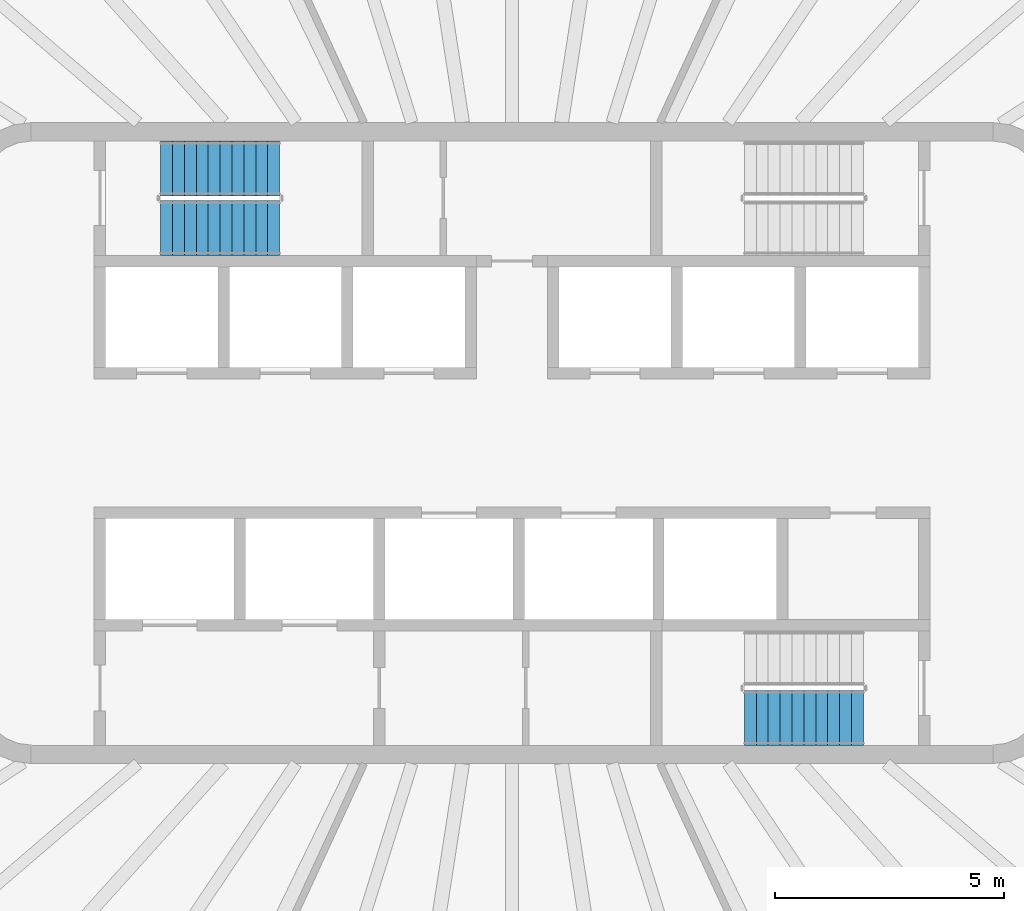
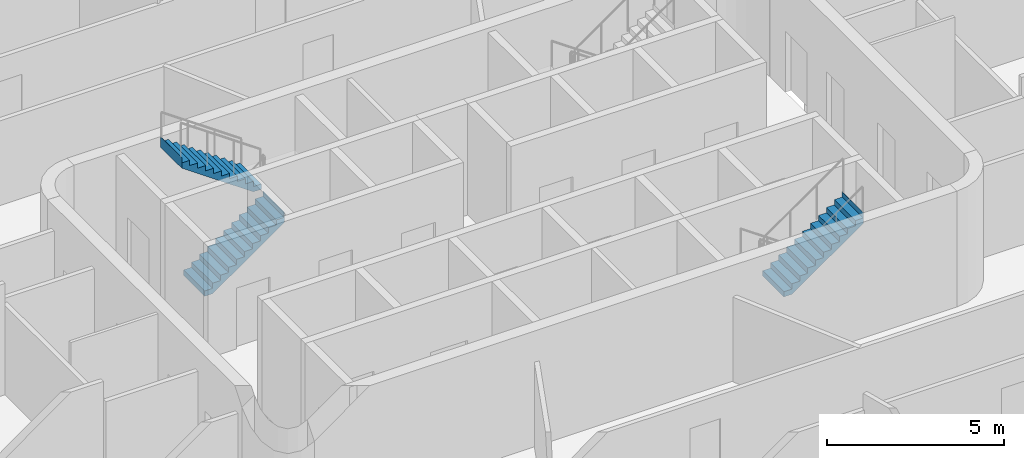
# One storey, part 12 of 18: 3 stair flights, 2 elements without a shape of their own.
"""IFC4 building model written with IfcOpenShell, lengths in metres."""

from ifc_helpers import new_model, si_unit, direction, frame, origin, place, context, subcontext, project, spatial, triangles, material, type_object, element, aggregate, save


model = new_model("IFC4")

# Units and contexts
model_context = context("Model", 3, precision=1e-05, world=origin(), true_north=direction((0.0, 1.0)))
body_context = subcontext(model_context, "Body", "Model", "MODEL_VIEW")
ifc_project = project(units=[si_unit("LENGTHUNIT", "METRE"), si_unit("AREAUNIT", "SQUARE_METRE"), si_unit("VOLUMEUNIT", "CUBIC_METRE"), si_unit("PLANEANGLEUNIT", "RADIAN"), si_unit("MASSUNIT", "GRAM", prefix="KILO")], contexts=[model_context])

# Site, building, storey
site_placement = place(None, origin())
site = spatial("IfcSite", under=ifc_project, at=site_placement, CompositionType="ELEMENT")
building_placement = place(site_placement, origin())
building = spatial("IfcBuilding", under=site, at=building_placement, Name="Sahrelin Media Tower", CompositionType="ELEMENT")
storey_placement = place(building_placement, frame((0.0, 0.0, 320.39990234375)))
storey = spatial("IfcBuildingStorey", under=building, at=storey_placement, Name="L71", CompositionType="ELEMENT", Elevation=320.39990234375)

# Stair, stair flights
ifc_material = material(Name="Concrete C40/50", Category="concrete")
stair_type = type_object("IfcStairType", Name="Exit stair 1200", PredefinedType="HALF_TURN_STAIR", material=ifc_material)
placement = place(storey_placement, origin())
stair_1 = element("IfcStair", 1, at=placement, inside=storey, type_object=stair_type, Name="L71 Exit stair ST1", PredefinedType="HALF_TURN_STAIR")
stair_flight_type = type_object("IfcStairFlightType", Name="Stair flight 1200", PredefinedType="STRAIGHT", material=ifc_material)
stair_flight_1_placement = place(storey_placement, frame((-7.675048828125, 4.699951171875, 0.0), z_axis=(0.0, 0.0, 1.0), x_axis=(1.0, 0.0, 0.0)))
stair_flight_1 = element("IfcStairFlight", 2, at=stair_flight_1_placement, type_object=stair_flight_type, Name="ST1 flight 1", NumberOfRisers=11, NumberOfTreads=10, PredefinedType="STRAIGHT", RiserHeight=0.181818182, TreadLength=0.26, context=body_context, shape_type="Tessellation", body=[
    triangles([(0.261474609375, 0.60009765625, 0.0), (0.261474609375, 0.300048828125, 0.0), (0.261474609375, 0.0, 0.0), (0.261474609375, -0.300048828125, 0.0), (0.261474609375, -0.60009765625, 0.0), (2.60009765625, 0.60009765625, 1.63525390625), (2.60009765625, 0.300048828125, 1.63525390625), (2.60009765625, 0.0, 1.63525390625), (2.60009765625, -0.300048828125, 1.63525390625), (2.60009765625, -0.60009765625, 1.63525390625), (2.60009765625, 0.60009765625, 2.0), (2.60009765625, 0.300048828125, 2.0), (2.60009765625, 0.0, 2.0), (2.60009765625, -0.300048828125, 2.0), (2.60009765625, -0.60009765625, 2.0), (2.597900390625, 0.60009765625, 2.0), (2.597900390625, 0.300048828125, 2.0), (2.597900390625, 0.0, 2.0), (2.597900390625, -0.300048828125, 2.0), (2.597900390625, -0.60009765625, 2.0), (2.597900390625, 0.60009765625, 1.818115234375), (2.597900390625, 0.300048828125, 1.818115234375), (2.597900390625, 0.0, 1.818115234375), (2.597900390625, -0.300048828125, 1.818115234375), (2.597900390625, -0.60009765625, 1.818115234375), (2.340087890625, 0.60009765625, 1.818115234375), (2.340087890625, 0.300048828125, 1.818115234375), (2.340087890625, 0.0, 1.818115234375), (2.340087890625, -0.300048828125, 1.818115234375), (2.340087890625, -0.60009765625, 1.818115234375), (2.340087890625, 0.60009765625, 1.636474609375), (2.340087890625, 0.300048828125, 1.636474609375), (2.340087890625, 0.0, 1.636474609375), (2.340087890625, -0.300048828125, 1.636474609375), (2.340087890625, -0.60009765625, 1.636474609375), (2.080078125, 0.60009765625, 1.636474609375), (2.080078125, 0.300048828125, 1.636474609375), (2.080078125, 0.0, 1.636474609375), (2.080078125, -0.300048828125, 1.636474609375), (2.080078125, -0.60009765625, 1.636474609375), (2.080078125, 0.60009765625, 1.45458984375), (2.080078125, 0.300048828125, 1.45458984375), (2.080078125, 0.0, 1.45458984375), (2.080078125, -0.300048828125, 1.45458984375), (2.080078125, -0.60009765625, 1.45458984375), (1.820068359375, 0.60009765625, 1.45458984375), (1.820068359375, 0.300048828125, 1.45458984375), (1.820068359375, 0.0, 1.45458984375), (1.820068359375, -0.300048828125, 1.45458984375), (1.820068359375, -0.60009765625, 1.45458984375), (1.820068359375, 0.60009765625, 1.272705078125), (1.820068359375, 0.300048828125, 1.272705078125), (1.820068359375, 0.0, 1.272705078125), (1.820068359375, -0.300048828125, 1.272705078125), (1.820068359375, -0.60009765625, 1.272705078125), (1.56005859375, 0.60009765625, 1.272705078125), (1.56005859375, 0.300048828125, 1.272705078125), (1.56005859375, 0.0, 1.272705078125), (1.56005859375, -0.300048828125, 1.272705078125), (1.56005859375, -0.60009765625, 1.272705078125), (1.56005859375, 0.60009765625, 1.0908203125), (1.56005859375, 0.300048828125, 1.0908203125), (1.56005859375, 0.0, 1.0908203125), (1.56005859375, -0.300048828125, 1.0908203125), (1.56005859375, -0.60009765625, 1.0908203125), (1.300048828125, 0.60009765625, 1.0908203125), (1.300048828125, 0.300048828125, 1.0908203125), (1.300048828125, 0.0, 1.0908203125), (1.300048828125, -0.300048828125, 1.0908203125), (1.300048828125, -0.60009765625, 1.0908203125), (1.300048828125, 0.60009765625, 0.9091796875), (1.300048828125, 0.300048828125, 0.9091796875), (1.300048828125, 0.0, 0.9091796875), (1.300048828125, -0.300048828125, 0.9091796875), (1.300048828125, -0.60009765625, 0.9091796875), (1.0400390625, 0.60009765625, 0.9091796875), (1.0400390625, 0.300048828125, 0.9091796875), (1.0400390625, 0.0, 0.9091796875), (1.0400390625, -0.300048828125, 0.9091796875), (1.0400390625, -0.60009765625, 0.9091796875), (1.0400390625, 0.60009765625, 0.727294921875), (1.0400390625, 0.300048828125, 0.727294921875), (1.0400390625, 0.0, 0.727294921875), (1.0400390625, -0.300048828125, 0.727294921875), (1.0400390625, -0.60009765625, 0.727294921875), (0.780029296875, 0.60009765625, 0.727294921875), (0.780029296875, 0.300048828125, 0.727294921875), (0.780029296875, 0.0, 0.727294921875), (0.780029296875, -0.300048828125, 0.727294921875), (0.780029296875, -0.60009765625, 0.727294921875), (0.780029296875, 0.60009765625, 0.54541015625), (0.780029296875, 0.300048828125, 0.54541015625), (0.780029296875, 0.0, 0.54541015625), (0.780029296875, -0.300048828125, 0.54541015625), (0.780029296875, -0.60009765625, 0.54541015625), (0.52001953125, 0.60009765625, 0.54541015625), (0.52001953125, 0.300048828125, 0.54541015625), (0.52001953125, 0.0, 0.54541015625), (0.52001953125, -0.300048828125, 0.54541015625), (0.52001953125, -0.60009765625, 0.54541015625), (0.52001953125, 0.60009765625, 0.363525390625), (0.52001953125, 0.300048828125, 0.363525390625), (0.52001953125, 0.0, 0.363525390625), (0.52001953125, -0.300048828125, 0.363525390625), (0.52001953125, -0.60009765625, 0.363525390625), (0.260009765625, 0.60009765625, 0.363525390625), (0.260009765625, 0.300048828125, 0.363525390625), (0.260009765625, 0.0, 0.363525390625), (0.260009765625, -0.300048828125, 0.363525390625), (0.260009765625, -0.60009765625, 0.363525390625), (0.260009765625, 0.60009765625, 0.181884765625), (0.260009765625, 0.300048828125, 0.181884765625), (0.260009765625, 0.0, 0.181884765625), (0.260009765625, -0.300048828125, 0.181884765625), (0.260009765625, -0.60009765625, 0.181884765625), (0.0, 0.60009765625, 0.181884765625), (0.0, 0.300048828125, 0.181884765625), (0.0, 0.0, 0.181884765625), (0.0, -0.300048828125, 0.181884765625), (0.0, -0.60009765625, 0.181884765625), (0.0, 0.60009765625, 0.0), (0.0, 0.300048828125, 0.0), (0.0, 0.0, 0.0), (0.0, -0.300048828125, 0.0), (0.0, -0.60009765625, 0.0)], [[1, 6, 7], [1, 7, 2], [2, 7, 8], [2, 8, 3], [3, 8, 9], [3, 9, 4], [4, 9, 10], [4, 10, 5], [6, 11, 12], [6, 12, 7], [7, 12, 13], [7, 13, 8], [8, 13, 14], [8, 14, 9], [9, 14, 15], [9, 15, 10], [11, 16, 17], [11, 17, 12], [12, 17, 18], [12, 18, 13], [13, 18, 19], [13, 19, 14], [14, 19, 20], [14, 20, 15], [16, 21, 22], [16, 22, 17], [17, 22, 23], [17, 23, 18], [18, 23, 24], [18, 24, 19], [19, 24, 25], [19, 25, 20], [21, 26, 27], [21, 27, 22], [22, 27, 28], [22, 28, 23], [23, 28, 29], [23, 29, 24], [24, 29, 30], [24, 30, 25], [26, 31, 32], [26, 32, 27], [27, 32, 33], [27, 33, 28], [28, 33, 34], [28, 34, 29], [29, 34, 35], [29, 35, 30], [31, 36, 37], [31, 37, 32], [32, 37, 38], [32, 38, 33], [33, 38, 39], [33, 39, 34], [34, 39, 40], [34, 40, 35], [36, 41, 42], [36, 42, 37], [37, 42, 43], [37, 43, 38], [38, 43, 44], [38, 44, 39], [39, 44, 45], [39, 45, 40], [41, 46, 47], [41, 47, 42], [42, 47, 48], [42, 48, 43], [43, 48, 49], [43, 49, 44], [44, 49, 50], [44, 50, 45], [46, 51, 52], [46, 52, 47], [47, 52, 53], [47, 53, 48], [48, 53, 54], [48, 54, 49], [49, 54, 55], [49, 55, 50], [51, 56, 57], [51, 57, 52], [52, 57, 58], [52, 58, 53], [53, 58, 59], [53, 59, 54], [54, 59, 60], [54, 60, 55], [56, 61, 62], [56, 62, 57], [57, 62, 63], [57, 63, 58], [58, 63, 64], [58, 64, 59], [59, 64, 65], [59, 65, 60], [61, 66, 67], [61, 67, 62], [62, 67, 68], [62, 68, 63], [63, 68, 69], [63, 69, 64], [64, 69, 70], [64, 70, 65], [66, 71, 72], [66, 72, 67], [67, 72, 73], [67, 73, 68], [68, 73, 74], [68, 74, 69], [69, 74, 75], [69, 75, 70], [71, 76, 77], [71, 77, 72], [72, 77, 78], [72, 78, 73], [73, 78, 79], [73, 79, 74], [74, 79, 80], [74, 80, 75], [76, 81, 82], [76, 82, 77], [77, 82, 83], [77, 83, 78], [78, 83, 84], [78, 84, 79], [79, 84, 85], [79, 85, 80], [81, 86, 87], [81, 87, 82], [82, 87, 88], [82, 88, 83], [83, 88, 89], [83, 89, 84], [84, 89, 90], [84, 90, 85], [86, 91, 92], [86, 92, 87], [87, 92, 93], [87, 93, 88], [88, 93, 94], [88, 94, 89], [89, 94, 95], [89, 95, 90], [91, 96, 97], [91, 97, 92], [92, 97, 98], [92, 98, 93], [93, 98, 99], [93, 99, 94], [94, 99, 100], [94, 100, 95], [96, 101, 102], [96, 102, 97], [97, 102, 103], [97, 103, 98], [98, 103, 104], [98, 104, 99], [99, 104, 105], [99, 105, 100], [101, 106, 107], [101, 107, 102], [102, 107, 108], [102, 108, 103], [103, 108, 109], [103, 109, 104], [104, 109, 110], [104, 110, 105], [106, 111, 112], [106, 112, 107], [107, 112, 113], [107, 113, 108], [108, 113, 114], [108, 114, 109], [109, 114, 115], [109, 115, 110], [111, 116, 117], [111, 117, 112], [112, 117, 118], [112, 118, 113], [113, 118, 119], [113, 119, 114], [114, 119, 120], [114, 120, 115], [116, 121, 122], [116, 122, 117], [117, 122, 123], [117, 123, 118], [118, 123, 124], [118, 124, 119], [119, 124, 125], [119, 125, 120], [121, 1, 2], [121, 2, 122], [122, 2, 3], [122, 3, 123], [123, 3, 4], [123, 4, 124], [124, 4, 5], [124, 5, 125], [115, 120, 125], [111, 121, 116], [115, 105, 110], [111, 106, 101], [105, 95, 100], [101, 96, 91], [95, 85, 90], [91, 86, 81], [85, 75, 80], [81, 76, 71], [75, 65, 70], [71, 66, 61], [65, 55, 60], [61, 56, 51], [55, 45, 50], [51, 46, 41], [45, 35, 40], [41, 36, 31], [35, 25, 30], [31, 26, 21], [25, 15, 20], [21, 16, 11], [125, 5, 115], [121, 111, 1], [25, 10, 15], [21, 11, 6], [105, 115, 5], [101, 1, 111], [35, 10, 25], [31, 21, 6], [95, 105, 5], [91, 1, 101], [45, 10, 35], [41, 31, 6], [85, 95, 5], [81, 1, 91], [55, 10, 45], [51, 41, 6], [75, 85, 5], [71, 1, 81], [65, 10, 55], [61, 51, 6], [5, 10, 75], [1, 71, 6], [75, 10, 65], [71, 61, 6]], closed=True),
])
stair_flight_2_placement = place(storey_placement, frame((-5.074951171875, 6.0, 2.0), z_axis=(0.0, 0.0, 1.0), x_axis=(-1.0, 0.0, 0.0)))
stair_flight_2 = element("IfcStairFlight", 3, at=stair_flight_2_placement, type_object=stair_flight_type, Name="ST1 flight 2", NumberOfRisers=11, NumberOfTreads=10, PredefinedType="STRAIGHT", RiserHeight=0.181818182, TreadLength=0.26, context=body_context, shape_type="Tessellation", body=[
    triangles([(0.261474609375, 0.60009765625, 0.0), (0.261474609375, 0.300048828125, 0.0), (0.261474609375, 0.0, 0.0), (0.261474609375, -0.300048828125, 0.0), (0.261474609375, -0.60009765625, 0.0), (2.60009765625, 0.60009765625, 1.63525390625), (2.60009765625, 0.300048828125, 1.63525390625), (2.60009765625, 0.0, 1.63525390625), (2.60009765625, -0.300048828125, 1.63525390625), (2.60009765625, -0.60009765625, 1.63525390625), (2.60009765625, 0.60009765625, 2.0), (2.60009765625, 0.300048828125, 2.0), (2.60009765625, 0.0, 2.0), (2.60009765625, -0.300048828125, 2.0), (2.60009765625, -0.60009765625, 2.0), (2.597900390625, 0.60009765625, 2.0), (2.597900390625, 0.300048828125, 2.0), (2.597900390625, 0.0, 2.0), (2.597900390625, -0.300048828125, 2.0), (2.597900390625, -0.60009765625, 2.0), (2.597900390625, 0.60009765625, 1.818115234375), (2.597900390625, 0.300048828125, 1.818115234375), (2.597900390625, 0.0, 1.818115234375), (2.597900390625, -0.300048828125, 1.818115234375), (2.597900390625, -0.60009765625, 1.818115234375), (2.340087890625, 0.60009765625, 1.818115234375), (2.340087890625, 0.300048828125, 1.818115234375), (2.340087890625, 0.0, 1.818115234375), (2.340087890625, -0.300048828125, 1.818115234375), (2.340087890625, -0.60009765625, 1.818115234375), (2.340087890625, 0.60009765625, 1.636474609375), (2.340087890625, 0.300048828125, 1.636474609375), (2.340087890625, 0.0, 1.636474609375), (2.340087890625, -0.300048828125, 1.636474609375), (2.340087890625, -0.60009765625, 1.636474609375), (2.080078125, 0.60009765625, 1.636474609375), (2.080078125, 0.300048828125, 1.636474609375), (2.080078125, 0.0, 1.636474609375), (2.080078125, -0.300048828125, 1.636474609375), (2.080078125, -0.60009765625, 1.636474609375), (2.080078125, 0.60009765625, 1.45458984375), (2.080078125, 0.300048828125, 1.45458984375), (2.080078125, 0.0, 1.45458984375), (2.080078125, -0.300048828125, 1.45458984375), (2.080078125, -0.60009765625, 1.45458984375), (1.820068359375, 0.60009765625, 1.45458984375), (1.820068359375, 0.300048828125, 1.45458984375), (1.820068359375, 0.0, 1.45458984375), (1.820068359375, -0.300048828125, 1.45458984375), (1.820068359375, -0.60009765625, 1.45458984375), (1.820068359375, 0.60009765625, 1.272705078125), (1.820068359375, 0.300048828125, 1.272705078125), (1.820068359375, 0.0, 1.272705078125), (1.820068359375, -0.300048828125, 1.272705078125), (1.820068359375, -0.60009765625, 1.272705078125), (1.56005859375, 0.60009765625, 1.272705078125), (1.56005859375, 0.300048828125, 1.272705078125), (1.56005859375, 0.0, 1.272705078125), (1.56005859375, -0.300048828125, 1.272705078125), (1.56005859375, -0.60009765625, 1.272705078125), (1.56005859375, 0.60009765625, 1.0908203125), (1.56005859375, 0.300048828125, 1.0908203125), (1.56005859375, 0.0, 1.0908203125), (1.56005859375, -0.300048828125, 1.0908203125), (1.56005859375, -0.60009765625, 1.0908203125), (1.300048828125, 0.60009765625, 1.0908203125), (1.300048828125, 0.300048828125, 1.0908203125), (1.300048828125, 0.0, 1.0908203125), (1.300048828125, -0.300048828125, 1.0908203125), (1.300048828125, -0.60009765625, 1.0908203125), (1.300048828125, 0.60009765625, 0.9091796875), (1.300048828125, 0.300048828125, 0.9091796875), (1.300048828125, 0.0, 0.9091796875), (1.300048828125, -0.300048828125, 0.9091796875), (1.300048828125, -0.60009765625, 0.9091796875), (1.0400390625, 0.60009765625, 0.9091796875), (1.0400390625, 0.300048828125, 0.9091796875), (1.0400390625, 0.0, 0.9091796875), (1.0400390625, -0.300048828125, 0.9091796875), (1.0400390625, -0.60009765625, 0.9091796875), (1.0400390625, 0.60009765625, 0.727294921875), (1.0400390625, 0.300048828125, 0.727294921875), (1.0400390625, 0.0, 0.727294921875), (1.0400390625, -0.300048828125, 0.727294921875), (1.0400390625, -0.60009765625, 0.727294921875), (0.780029296875, 0.60009765625, 0.727294921875), (0.780029296875, 0.300048828125, 0.727294921875), (0.780029296875, 0.0, 0.727294921875), (0.780029296875, -0.300048828125, 0.727294921875), (0.780029296875, -0.60009765625, 0.727294921875), (0.780029296875, 0.60009765625, 0.54541015625), (0.780029296875, 0.300048828125, 0.54541015625), (0.780029296875, 0.0, 0.54541015625), (0.780029296875, -0.300048828125, 0.54541015625), (0.780029296875, -0.60009765625, 0.54541015625), (0.52001953125, 0.60009765625, 0.54541015625), (0.52001953125, 0.300048828125, 0.54541015625), (0.52001953125, 0.0, 0.54541015625), (0.52001953125, -0.300048828125, 0.54541015625), (0.52001953125, -0.60009765625, 0.54541015625), (0.52001953125, 0.60009765625, 0.363525390625), (0.52001953125, 0.300048828125, 0.363525390625), (0.52001953125, 0.0, 0.363525390625), (0.52001953125, -0.300048828125, 0.363525390625), (0.52001953125, -0.60009765625, 0.363525390625), (0.260009765625, 0.60009765625, 0.363525390625), (0.260009765625, 0.300048828125, 0.363525390625), (0.260009765625, 0.0, 0.363525390625), (0.260009765625, -0.300048828125, 0.363525390625), (0.260009765625, -0.60009765625, 0.363525390625), (0.260009765625, 0.60009765625, 0.181884765625), (0.260009765625, 0.300048828125, 0.181884765625), (0.260009765625, 0.0, 0.181884765625), (0.260009765625, -0.300048828125, 0.181884765625), (0.260009765625, -0.60009765625, 0.181884765625), (0.0, 0.60009765625, 0.181884765625), (0.0, 0.300048828125, 0.181884765625), (0.0, 0.0, 0.181884765625), (0.0, -0.300048828125, 0.181884765625), (0.0, -0.60009765625, 0.181884765625), (0.0, 0.60009765625, 0.0), (0.0, 0.300048828125, 0.0), (0.0, 0.0, 0.0), (0.0, -0.300048828125, 0.0), (0.0, -0.60009765625, 0.0)], [[1, 6, 7], [1, 7, 2], [2, 7, 8], [2, 8, 3], [3, 8, 9], [3, 9, 4], [4, 9, 10], [4, 10, 5], [6, 11, 12], [6, 12, 7], [7, 12, 13], [7, 13, 8], [8, 13, 14], [8, 14, 9], [9, 14, 15], [9, 15, 10], [11, 16, 17], [11, 17, 12], [12, 17, 18], [12, 18, 13], [13, 18, 19], [13, 19, 14], [14, 19, 20], [14, 20, 15], [16, 21, 22], [16, 22, 17], [17, 22, 23], [17, 23, 18], [18, 23, 24], [18, 24, 19], [19, 24, 25], [19, 25, 20], [21, 26, 27], [21, 27, 22], [22, 27, 28], [22, 28, 23], [23, 28, 29], [23, 29, 24], [24, 29, 30], [24, 30, 25], [26, 31, 32], [26, 32, 27], [27, 32, 33], [27, 33, 28], [28, 33, 34], [28, 34, 29], [29, 34, 35], [29, 35, 30], [31, 36, 37], [31, 37, 32], [32, 37, 38], [32, 38, 33], [33, 38, 39], [33, 39, 34], [34, 39, 40], [34, 40, 35], [36, 41, 42], [36, 42, 37], [37, 42, 43], [37, 43, 38], [38, 43, 44], [38, 44, 39], [39, 44, 45], [39, 45, 40], [41, 46, 47], [41, 47, 42], [42, 47, 48], [42, 48, 43], [43, 48, 49], [43, 49, 44], [44, 49, 50], [44, 50, 45], [46, 51, 52], [46, 52, 47], [47, 52, 53], [47, 53, 48], [48, 53, 54], [48, 54, 49], [49, 54, 55], [49, 55, 50], [51, 56, 57], [51, 57, 52], [52, 57, 58], [52, 58, 53], [53, 58, 59], [53, 59, 54], [54, 59, 60], [54, 60, 55], [56, 61, 62], [56, 62, 57], [57, 62, 63], [57, 63, 58], [58, 63, 64], [58, 64, 59], [59, 64, 65], [59, 65, 60], [61, 66, 67], [61, 67, 62], [62, 67, 68], [62, 68, 63], [63, 68, 69], [63, 69, 64], [64, 69, 70], [64, 70, 65], [66, 71, 72], [66, 72, 67], [67, 72, 73], [67, 73, 68], [68, 73, 74], [68, 74, 69], [69, 74, 75], [69, 75, 70], [71, 76, 77], [71, 77, 72], [72, 77, 78], [72, 78, 73], [73, 78, 79], [73, 79, 74], [74, 79, 80], [74, 80, 75], [76, 81, 82], [76, 82, 77], [77, 82, 83], [77, 83, 78], [78, 83, 84], [78, 84, 79], [79, 84, 85], [79, 85, 80], [81, 86, 87], [81, 87, 82], [82, 87, 88], [82, 88, 83], [83, 88, 89], [83, 89, 84], [84, 89, 90], [84, 90, 85], [86, 91, 92], [86, 92, 87], [87, 92, 93], [87, 93, 88], [88, 93, 94], [88, 94, 89], [89, 94, 95], [89, 95, 90], [91, 96, 97], [91, 97, 92], [92, 97, 98], [92, 98, 93], [93, 98, 99], [93, 99, 94], [94, 99, 100], [94, 100, 95], [96, 101, 102], [96, 102, 97], [97, 102, 103], [97, 103, 98], [98, 103, 104], [98, 104, 99], [99, 104, 105], [99, 105, 100], [101, 106, 107], [101, 107, 102], [102, 107, 108], [102, 108, 103], [103, 108, 109], [103, 109, 104], [104, 109, 110], [104, 110, 105], [106, 111, 112], [106, 112, 107], [107, 112, 113], [107, 113, 108], [108, 113, 114], [108, 114, 109], [109, 114, 115], [109, 115, 110], [111, 116, 117], [111, 117, 112], [112, 117, 118], [112, 118, 113], [113, 118, 119], [113, 119, 114], [114, 119, 120], [114, 120, 115], [116, 121, 122], [116, 122, 117], [117, 122, 123], [117, 123, 118], [118, 123, 124], [118, 124, 119], [119, 124, 125], [119, 125, 120], [121, 1, 2], [121, 2, 122], [122, 2, 3], [122, 3, 123], [123, 3, 4], [123, 4, 124], [124, 4, 5], [124, 5, 125], [115, 120, 125], [111, 121, 116], [115, 105, 110], [111, 106, 101], [105, 95, 100], [101, 96, 91], [95, 85, 90], [91, 86, 81], [85, 75, 80], [81, 76, 71], [75, 65, 70], [71, 66, 61], [65, 55, 60], [61, 56, 51], [55, 45, 50], [51, 46, 41], [45, 35, 40], [41, 36, 31], [35, 25, 30], [31, 26, 21], [25, 15, 20], [21, 16, 11], [125, 5, 115], [121, 111, 1], [25, 10, 15], [21, 11, 6], [105, 115, 5], [101, 1, 111], [35, 10, 25], [31, 21, 6], [95, 105, 5], [91, 1, 101], [45, 10, 35], [41, 31, 6], [85, 95, 5], [81, 1, 91], [55, 10, 45], [51, 41, 6], [75, 85, 5], [71, 1, 81], [65, 10, 55], [61, 51, 6], [5, 10, 75], [1, 71, 6], [75, 10, 65], [71, 61, 6]], closed=True),
])
aggregate(stair_1, [stair_flight_1, stair_flight_2])

# Stair, stair flight
stair_2 = element("IfcStair", 4, at=placement, inside=storey, type_object=stair_type, Name="L71 Exit stair ST2", PredefinedType="HALF_TURN_STAIR")
stair_flight_3_placement = place(storey_placement, frame((5.074951171875, -6.0, 2.0), z_axis=(0.0, 0.0, 1.0), x_axis=(1.0, 0.0, 0.0)))
stair_flight_3 = element("IfcStairFlight", 5, at=stair_flight_3_placement, type_object=stair_flight_type, Name="ST2 flight 2", NumberOfRisers=11, NumberOfTreads=10, PredefinedType="STRAIGHT", RiserHeight=0.181818182, TreadLength=0.26, context=body_context, shape_type="Tessellation", body=[
    triangles([(0.261474609375, 0.60009765625, 0.0), (0.261474609375, 0.300048828125, 0.0), (0.261474609375, 0.0, 0.0), (0.261474609375, -0.300048828125, 0.0), (0.261474609375, -0.60009765625, 0.0), (2.60009765625, 0.60009765625, 1.63525390625), (2.60009765625, 0.300048828125, 1.63525390625), (2.60009765625, 0.0, 1.63525390625), (2.60009765625, -0.300048828125, 1.63525390625), (2.60009765625, -0.60009765625, 1.63525390625), (2.60009765625, 0.60009765625, 2.0), (2.60009765625, 0.300048828125, 2.0), (2.60009765625, 0.0, 2.0), (2.60009765625, -0.300048828125, 2.0), (2.60009765625, -0.60009765625, 2.0), (2.597900390625, 0.60009765625, 2.0), (2.597900390625, 0.300048828125, 2.0), (2.597900390625, 0.0, 2.0), (2.597900390625, -0.300048828125, 2.0), (2.597900390625, -0.60009765625, 2.0), (2.597900390625, 0.60009765625, 1.818115234375), (2.597900390625, 0.300048828125, 1.818115234375), (2.597900390625, 0.0, 1.818115234375), (2.597900390625, -0.300048828125, 1.818115234375), (2.597900390625, -0.60009765625, 1.818115234375), (2.340087890625, 0.60009765625, 1.818115234375), (2.340087890625, 0.300048828125, 1.818115234375), (2.340087890625, 0.0, 1.818115234375), (2.340087890625, -0.300048828125, 1.818115234375), (2.340087890625, -0.60009765625, 1.818115234375), (2.340087890625, 0.60009765625, 1.636474609375), (2.340087890625, 0.300048828125, 1.636474609375), (2.340087890625, 0.0, 1.636474609375), (2.340087890625, -0.300048828125, 1.636474609375), (2.340087890625, -0.60009765625, 1.636474609375), (2.080078125, 0.60009765625, 1.636474609375), (2.080078125, 0.300048828125, 1.636474609375), (2.080078125, 0.0, 1.636474609375), (2.080078125, -0.300048828125, 1.636474609375), (2.080078125, -0.60009765625, 1.636474609375), (2.080078125, 0.60009765625, 1.45458984375), (2.080078125, 0.300048828125, 1.45458984375), (2.080078125, 0.0, 1.45458984375), (2.080078125, -0.300048828125, 1.45458984375), (2.080078125, -0.60009765625, 1.45458984375), (1.820068359375, 0.60009765625, 1.45458984375), (1.820068359375, 0.300048828125, 1.45458984375), (1.820068359375, 0.0, 1.45458984375), (1.820068359375, -0.300048828125, 1.45458984375), (1.820068359375, -0.60009765625, 1.45458984375), (1.820068359375, 0.60009765625, 1.272705078125), (1.820068359375, 0.300048828125, 1.272705078125), (1.820068359375, 0.0, 1.272705078125), (1.820068359375, -0.300048828125, 1.272705078125), (1.820068359375, -0.60009765625, 1.272705078125), (1.56005859375, 0.60009765625, 1.272705078125), (1.56005859375, 0.300048828125, 1.272705078125), (1.56005859375, 0.0, 1.272705078125), (1.56005859375, -0.300048828125, 1.272705078125), (1.56005859375, -0.60009765625, 1.272705078125), (1.56005859375, 0.60009765625, 1.0908203125), (1.56005859375, 0.300048828125, 1.0908203125), (1.56005859375, 0.0, 1.0908203125), (1.56005859375, -0.300048828125, 1.0908203125), (1.56005859375, -0.60009765625, 1.0908203125), (1.300048828125, 0.60009765625, 1.0908203125), (1.300048828125, 0.300048828125, 1.0908203125), (1.300048828125, 0.0, 1.0908203125), (1.300048828125, -0.300048828125, 1.0908203125), (1.300048828125, -0.60009765625, 1.0908203125), (1.300048828125, 0.60009765625, 0.9091796875), (1.300048828125, 0.300048828125, 0.9091796875), (1.300048828125, 0.0, 0.9091796875), (1.300048828125, -0.300048828125, 0.9091796875), (1.300048828125, -0.60009765625, 0.9091796875), (1.0400390625, 0.60009765625, 0.9091796875), (1.0400390625, 0.300048828125, 0.9091796875), (1.0400390625, 0.0, 0.9091796875), (1.0400390625, -0.300048828125, 0.9091796875), (1.0400390625, -0.60009765625, 0.9091796875), (1.0400390625, 0.60009765625, 0.727294921875), (1.0400390625, 0.300048828125, 0.727294921875), (1.0400390625, 0.0, 0.727294921875), (1.0400390625, -0.300048828125, 0.727294921875), (1.0400390625, -0.60009765625, 0.727294921875), (0.780029296875, 0.60009765625, 0.727294921875), (0.780029296875, 0.300048828125, 0.727294921875), (0.780029296875, 0.0, 0.727294921875), (0.780029296875, -0.300048828125, 0.727294921875), (0.780029296875, -0.60009765625, 0.727294921875), (0.780029296875, 0.60009765625, 0.54541015625), (0.780029296875, 0.300048828125, 0.54541015625), (0.780029296875, 0.0, 0.54541015625), (0.780029296875, -0.300048828125, 0.54541015625), (0.780029296875, -0.60009765625, 0.54541015625), (0.52001953125, 0.60009765625, 0.54541015625), (0.52001953125, 0.300048828125, 0.54541015625), (0.52001953125, 0.0, 0.54541015625), (0.52001953125, -0.300048828125, 0.54541015625), (0.52001953125, -0.60009765625, 0.54541015625), (0.52001953125, 0.60009765625, 0.363525390625), (0.52001953125, 0.300048828125, 0.363525390625), (0.52001953125, 0.0, 0.363525390625), (0.52001953125, -0.300048828125, 0.363525390625), (0.52001953125, -0.60009765625, 0.363525390625), (0.260009765625, 0.60009765625, 0.363525390625), (0.260009765625, 0.300048828125, 0.363525390625), (0.260009765625, 0.0, 0.363525390625), (0.260009765625, -0.300048828125, 0.363525390625), (0.260009765625, -0.60009765625, 0.363525390625), (0.260009765625, 0.60009765625, 0.181884765625), (0.260009765625, 0.300048828125, 0.181884765625), (0.260009765625, 0.0, 0.181884765625), (0.260009765625, -0.300048828125, 0.181884765625), (0.260009765625, -0.60009765625, 0.181884765625), (0.0, 0.60009765625, 0.181884765625), (0.0, 0.300048828125, 0.181884765625), (0.0, 0.0, 0.181884765625), (0.0, -0.300048828125, 0.181884765625), (0.0, -0.60009765625, 0.181884765625), (0.0, 0.60009765625, 0.0), (0.0, 0.300048828125, 0.0), (0.0, 0.0, 0.0), (0.0, -0.300048828125, 0.0), (0.0, -0.60009765625, 0.0)], [[1, 6, 7], [1, 7, 2], [2, 7, 8], [2, 8, 3], [3, 8, 9], [3, 9, 4], [4, 9, 10], [4, 10, 5], [6, 11, 12], [6, 12, 7], [7, 12, 13], [7, 13, 8], [8, 13, 14], [8, 14, 9], [9, 14, 15], [9, 15, 10], [11, 16, 17], [11, 17, 12], [12, 17, 18], [12, 18, 13], [13, 18, 19], [13, 19, 14], [14, 19, 20], [14, 20, 15], [16, 21, 22], [16, 22, 17], [17, 22, 23], [17, 23, 18], [18, 23, 24], [18, 24, 19], [19, 24, 25], [19, 25, 20], [21, 26, 27], [21, 27, 22], [22, 27, 28], [22, 28, 23], [23, 28, 29], [23, 29, 24], [24, 29, 30], [24, 30, 25], [26, 31, 32], [26, 32, 27], [27, 32, 33], [27, 33, 28], [28, 33, 34], [28, 34, 29], [29, 34, 35], [29, 35, 30], [31, 36, 37], [31, 37, 32], [32, 37, 38], [32, 38, 33], [33, 38, 39], [33, 39, 34], [34, 39, 40], [34, 40, 35], [36, 41, 42], [36, 42, 37], [37, 42, 43], [37, 43, 38], [38, 43, 44], [38, 44, 39], [39, 44, 45], [39, 45, 40], [41, 46, 47], [41, 47, 42], [42, 47, 48], [42, 48, 43], [43, 48, 49], [43, 49, 44], [44, 49, 50], [44, 50, 45], [46, 51, 52], [46, 52, 47], [47, 52, 53], [47, 53, 48], [48, 53, 54], [48, 54, 49], [49, 54, 55], [49, 55, 50], [51, 56, 57], [51, 57, 52], [52, 57, 58], [52, 58, 53], [53, 58, 59], [53, 59, 54], [54, 59, 60], [54, 60, 55], [56, 61, 62], [56, 62, 57], [57, 62, 63], [57, 63, 58], [58, 63, 64], [58, 64, 59], [59, 64, 65], [59, 65, 60], [61, 66, 67], [61, 67, 62], [62, 67, 68], [62, 68, 63], [63, 68, 69], [63, 69, 64], [64, 69, 70], [64, 70, 65], [66, 71, 72], [66, 72, 67], [67, 72, 73], [67, 73, 68], [68, 73, 74], [68, 74, 69], [69, 74, 75], [69, 75, 70], [71, 76, 77], [71, 77, 72], [72, 77, 78], [72, 78, 73], [73, 78, 79], [73, 79, 74], [74, 79, 80], [74, 80, 75], [76, 81, 82], [76, 82, 77], [77, 82, 83], [77, 83, 78], [78, 83, 84], [78, 84, 79], [79, 84, 85], [79, 85, 80], [81, 86, 87], [81, 87, 82], [82, 87, 88], [82, 88, 83], [83, 88, 89], [83, 89, 84], [84, 89, 90], [84, 90, 85], [86, 91, 92], [86, 92, 87], [87, 92, 93], [87, 93, 88], [88, 93, 94], [88, 94, 89], [89, 94, 95], [89, 95, 90], [91, 96, 97], [91, 97, 92], [92, 97, 98], [92, 98, 93], [93, 98, 99], [93, 99, 94], [94, 99, 100], [94, 100, 95], [96, 101, 102], [96, 102, 97], [97, 102, 103], [97, 103, 98], [98, 103, 104], [98, 104, 99], [99, 104, 105], [99, 105, 100], [101, 106, 107], [101, 107, 102], [102, 107, 108], [102, 108, 103], [103, 108, 109], [103, 109, 104], [104, 109, 110], [104, 110, 105], [106, 111, 112], [106, 112, 107], [107, 112, 113], [107, 113, 108], [108, 113, 114], [108, 114, 109], [109, 114, 115], [109, 115, 110], [111, 116, 117], [111, 117, 112], [112, 117, 118], [112, 118, 113], [113, 118, 119], [113, 119, 114], [114, 119, 120], [114, 120, 115], [116, 121, 122], [116, 122, 117], [117, 122, 123], [117, 123, 118], [118, 123, 124], [118, 124, 119], [119, 124, 125], [119, 125, 120], [121, 1, 2], [121, 2, 122], [122, 2, 3], [122, 3, 123], [123, 3, 4], [123, 4, 124], [124, 4, 5], [124, 5, 125], [115, 120, 125], [111, 121, 116], [115, 105, 110], [111, 106, 101], [105, 95, 100], [101, 96, 91], [95, 85, 90], [91, 86, 81], [85, 75, 80], [81, 76, 71], [75, 65, 70], [71, 66, 61], [65, 55, 60], [61, 56, 51], [55, 45, 50], [51, 46, 41], [45, 35, 40], [41, 36, 31], [35, 25, 30], [31, 26, 21], [25, 15, 20], [21, 16, 11], [125, 5, 115], [121, 111, 1], [25, 10, 15], [21, 11, 6], [105, 115, 5], [101, 1, 111], [35, 10, 25], [31, 21, 6], [95, 105, 5], [91, 1, 101], [45, 10, 35], [41, 31, 6], [85, 95, 5], [81, 1, 91], [55, 10, 45], [51, 41, 6], [75, 85, 5], [71, 1, 81], [65, 10, 55], [61, 51, 6], [5, 10, 75], [1, 71, 6], [75, 10, 65], [71, 61, 6]], closed=True),
])
aggregate(stair_2, [stair_flight_3])

save(model, "model.ifc")
